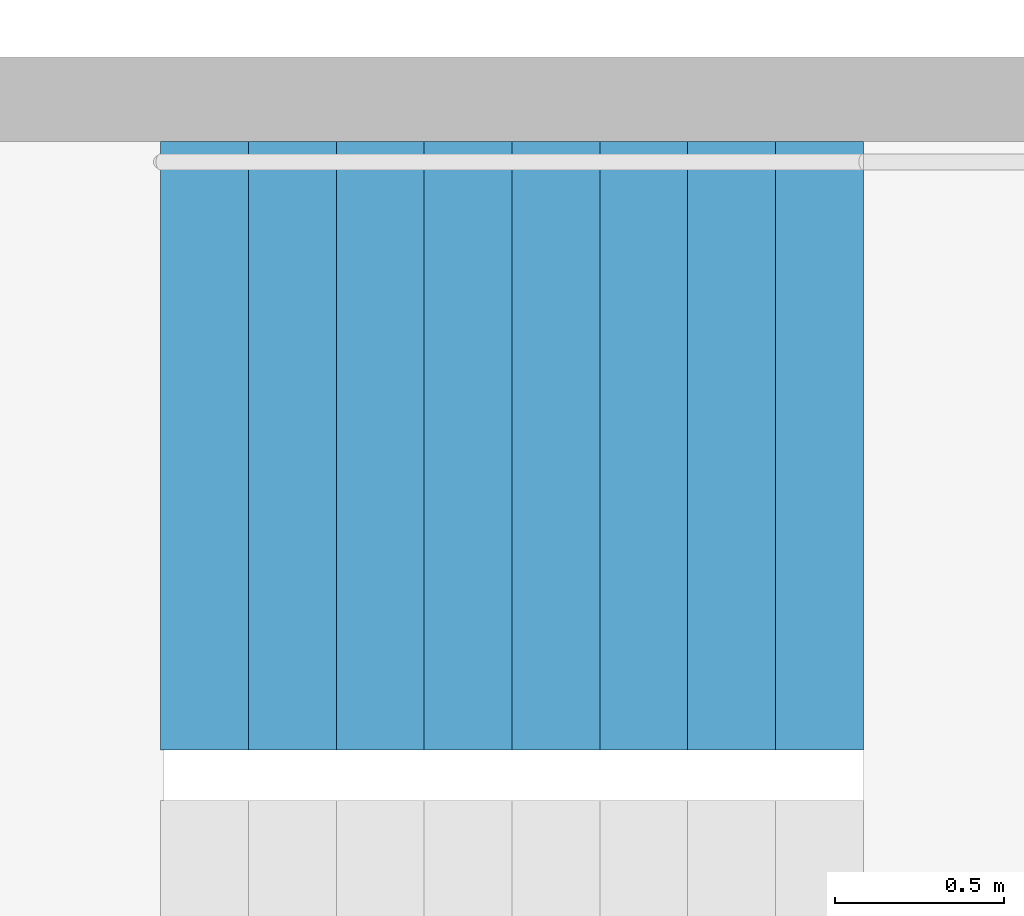
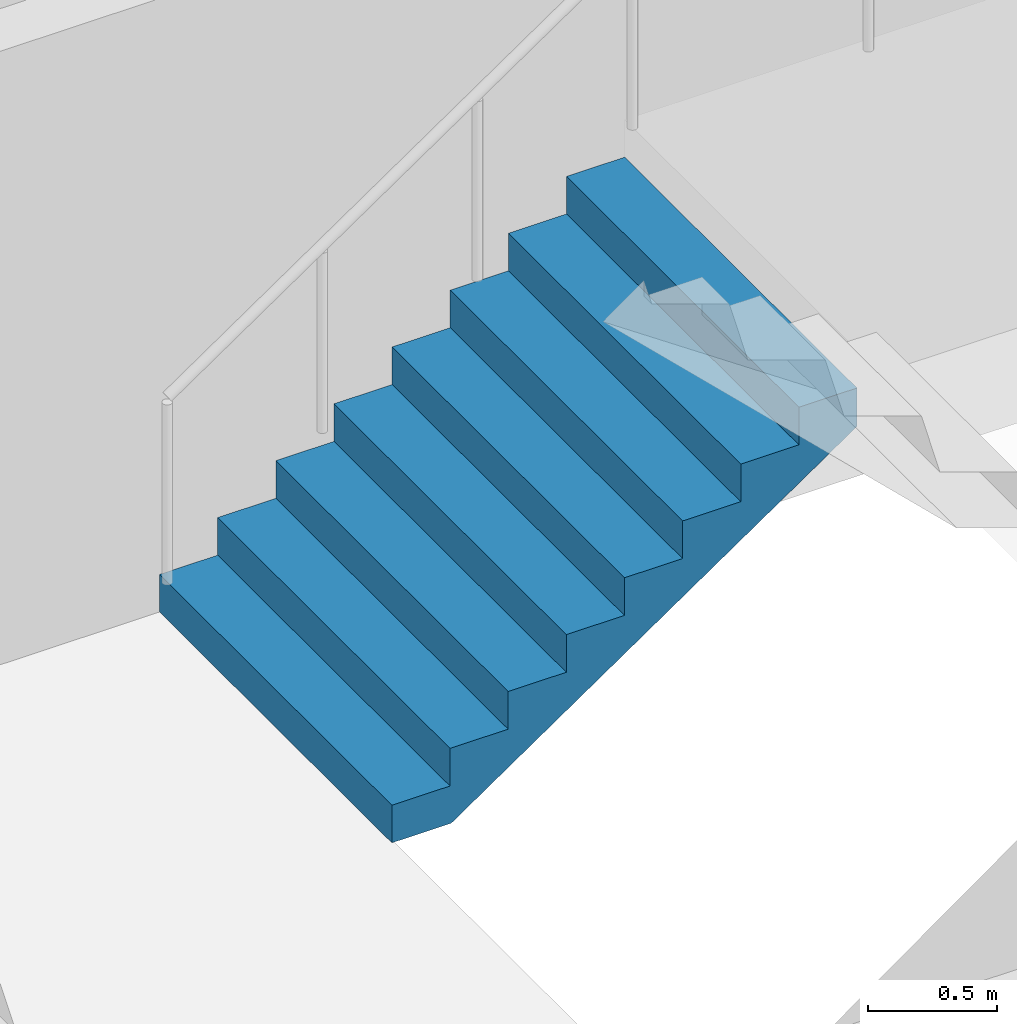
# One storey, part 23 of 26: 1 stair flight, 1 element without a shape of its own.
"""IFC4 building model written with IfcOpenShell, lengths in metres."""

from ifc_helpers import new_model, si_unit, direction, frame, origin, place, context, subcontext, project, spatial, triangles, material, type_object, element, aggregate, save


model = new_model("IFC4")

# Units and contexts
model_context = context("Model", 3, precision=1e-05, world=origin(), true_north=direction((0.0, 1.0)))
body_context = subcontext(model_context, "Body", "Model", "MODEL_VIEW")
ifc_project = project(units=[si_unit("LENGTHUNIT", "METRE"), si_unit("AREAUNIT", "SQUARE_METRE"), si_unit("VOLUMEUNIT", "CUBIC_METRE"), si_unit("PLANEANGLEUNIT", "RADIAN"), si_unit("MASSUNIT", "GRAM", prefix="KILO")], contexts=[model_context])

# Site, building, storey
site_placement = place(None, origin())
site = spatial("IfcSite", under=ifc_project, at=site_placement, CompositionType="ELEMENT")
building_placement = place(site_placement, origin())
building = spatial("IfcBuilding", under=site, at=building_placement, Name="Hakoniwa Tower and Hamabe Station Hall", CompositionType="ELEMENT")
storey_placement = place(building_placement, frame((0.0, 0.0, 225.0)))
storey = spatial("IfcBuildingStorey", under=building, at=storey_placement, Name="L64", CompositionType="ELEMENT", Elevation=225.0)

# Stair, stair flight
ifc_material_1 = material(Name="Concrete C40", Category="concrete")
stair_type = type_object("IfcStairType", Name="ESCAPE STAIR 1800", PredefinedType="HALF_TURN_STAIR", material=ifc_material_1)
stair_placement = place(storey_placement, origin())
stair = element("IfcStair", 1, at=stair_placement, inside=storey, type_object=stair_type, Name="Escape stair ST-4 L64", PredefinedType="HALF_TURN_STAIR")
ifc_material_2 = material(Name="Concrete C40", Category="concrete")
stair_flight_type = type_object("IfcStairFlightType", Name="STAIR FLIGHT 1800", PredefinedType="STRAIGHT", material=ifc_material_2)
stair_flight_placement = place(storey_placement, frame((23.39990234375, -4.64990234375, 0.0), z_axis=(0.0, 0.0, 1.0), x_axis=(1.0, 0.0, 0.0)))
stair_flight = element("IfcStairFlight", 2, at=stair_flight_placement, type_object=stair_flight_type, Name="ST-4 flight 1", NumberOfRisers=9, NumberOfTreads=8, PredefinedType="STRAIGHT", RiserHeight=0.177777778, TreadLength=0.26, context=body_context, shape_type="Tessellation", body=[
    triangles([(0.0, 0.89990234375, 0.0), (0.260009765625, 0.89990234375, 0.0), (0.265625, 0.89990234375, 0.0), (0.52001953125, 0.89990234375, 0.174072265625), (0.780029296875, 0.89990234375, 0.351806640625), (1.0400390625, 0.89990234375, 0.529541015625), (1.300048828125, 0.89990234375, 0.707275390625), (1.56005859375, 0.89990234375, 0.885009765625), (1.820068359375, 0.89990234375, 1.062744140625), (2.080078125, 0.89990234375, 1.24072265625), (2.080078125, 0.89990234375, 1.422119140625), (1.820068359375, 0.89990234375, 1.422119140625), (1.820068359375, 0.89990234375, 1.244384765625), (1.56005859375, 0.89990234375, 1.244384765625), (1.56005859375, 0.89990234375, 1.066650390625), (1.300048828125, 0.89990234375, 1.066650390625), (1.300048828125, 0.89990234375, 0.888916015625), (1.0400390625, 0.89990234375, 0.888916015625), (1.0400390625, 0.89990234375, 0.711181640625), (0.780029296875, 0.89990234375, 0.711181640625), (0.780029296875, 0.89990234375, 0.533447265625), (0.52001953125, 0.89990234375, 0.533447265625), (0.52001953125, 0.89990234375, 0.35546875), (0.265625, 0.89990234375, 0.35546875), (0.260009765625, 0.89990234375, 0.35546875), (0.260009765625, 0.89990234375, 0.177734375), (0.0, 0.89990234375, 0.177734375), (0.0, 0.06005859375, 0.0), (0.260009765625, 0.06005859375, 0.0), (0.265625, 0.06005859375, 0.0), (0.52001953125, 0.06005859375, 0.174072265625), (0.780029296875, 0.06005859375, 0.351806640625), (1.0400390625, 0.06005859375, 0.529541015625), (1.300048828125, 0.06005859375, 0.707275390625), (1.56005859375, 0.06005859375, 0.885009765625), (1.820068359375, 0.06005859375, 1.062744140625), (2.080078125, 0.06005859375, 1.24072265625), (2.080078125, 0.06005859375, 1.422119140625), (1.820068359375, 0.06005859375, 1.422119140625), (1.820068359375, 0.06005859375, 1.244384765625), (1.56005859375, 0.06005859375, 1.244384765625), (1.56005859375, 0.06005859375, 1.066650390625), (1.300048828125, 0.06005859375, 1.066650390625), (1.300048828125, 0.06005859375, 0.888916015625), (1.0400390625, 0.06005859375, 0.888916015625), (1.0400390625, 0.06005859375, 0.711181640625), (0.780029296875, 0.06005859375, 0.711181640625), (0.780029296875, 0.06005859375, 0.533447265625), (0.52001953125, 0.06005859375, 0.533447265625), (0.52001953125, 0.06005859375, 0.35546875), (0.265625, 0.06005859375, 0.35546875), (0.260009765625, 0.06005859375, 0.35546875), (0.260009765625, 0.06005859375, 0.177734375), (0.0, 0.06005859375, 0.177734375), (0.0, 0.04296875, 0.0), (0.260009765625, 0.04296875, 0.0), (0.265625, 0.04296875, 0.0), (0.52001953125, 0.04296875, 0.174072265625), (0.780029296875, 0.04296875, 0.351806640625), (1.0400390625, 0.04296875, 0.529541015625), (1.300048828125, 0.04296875, 0.707275390625), (1.56005859375, 0.04296875, 0.885009765625), (1.820068359375, 0.04296875, 1.062744140625), (2.080078125, 0.04296875, 1.24072265625), (2.080078125, 0.04296875, 1.422119140625), (1.820068359375, 0.04296875, 1.422119140625), (1.820068359375, 0.04296875, 1.244384765625), (1.56005859375, 0.04296875, 1.244384765625), (1.56005859375, 0.04296875, 1.066650390625), (1.300048828125, 0.04296875, 1.066650390625), (1.300048828125, 0.04296875, 0.888916015625), (1.0400390625, 0.04296875, 0.888916015625), (1.0400390625, 0.04296875, 0.711181640625), (0.780029296875, 0.04296875, 0.711181640625), (0.780029296875, 0.04296875, 0.533447265625), (0.52001953125, 0.04296875, 0.533447265625), (0.52001953125, 0.04296875, 0.35546875), (0.265625, 0.04296875, 0.35546875), (0.260009765625, 0.04296875, 0.35546875), (0.260009765625, 0.04296875, 0.177734375), (0.0, 0.04296875, 0.177734375), (0.0, 0.025634765625, 0.0), (0.260009765625, 0.025634765625, 0.0), (0.265625, 0.025634765625, 0.0), (0.52001953125, 0.025634765625, 0.174072265625), (0.780029296875, 0.025634765625, 0.351806640625), (1.0400390625, 0.025634765625, 0.529541015625), (1.300048828125, 0.025634765625, 0.707275390625), (1.56005859375, 0.025634765625, 0.885009765625), (1.820068359375, 0.025634765625, 1.062744140625), (2.080078125, 0.025634765625, 1.24072265625), (2.080078125, 0.025634765625, 1.422119140625), (1.820068359375, 0.025634765625, 1.422119140625), (1.820068359375, 0.025634765625, 1.244384765625), (1.56005859375, 0.025634765625, 1.244384765625), (1.56005859375, 0.025634765625, 1.066650390625), (1.300048828125, 0.025634765625, 1.066650390625), (1.300048828125, 0.025634765625, 0.888916015625), (1.0400390625, 0.025634765625, 0.888916015625), (1.0400390625, 0.025634765625, 0.711181640625), (0.780029296875, 0.025634765625, 0.711181640625), (0.780029296875, 0.025634765625, 0.533447265625), (0.52001953125, 0.025634765625, 0.533447265625), (0.52001953125, 0.025634765625, 0.35546875), (0.265625, 0.025634765625, 0.35546875), (0.260009765625, 0.025634765625, 0.35546875), (0.260009765625, 0.025634765625, 0.177734375), (0.0, 0.025634765625, 0.177734375), (0.0, 0.008544921875, 0.0), (0.260009765625, 0.008544921875, 0.0), (0.265625, 0.008544921875, 0.0), (0.52001953125, 0.008544921875, 0.174072265625), (0.780029296875, 0.008544921875, 0.351806640625), (1.0400390625, 0.008544921875, 0.529541015625), (1.300048828125, 0.008544921875, 0.707275390625), (1.56005859375, 0.008544921875, 0.885009765625), (1.820068359375, 0.008544921875, 1.062744140625), (2.080078125, 0.008544921875, 1.24072265625), (2.080078125, 0.008544921875, 1.422119140625), (1.820068359375, 0.008544921875, 1.422119140625), (1.820068359375, 0.008544921875, 1.244384765625), (1.56005859375, 0.008544921875, 1.244384765625), (1.56005859375, 0.008544921875, 1.066650390625), (1.300048828125, 0.008544921875, 1.066650390625), (1.300048828125, 0.008544921875, 0.888916015625), (1.0400390625, 0.008544921875, 0.888916015625), (1.0400390625, 0.008544921875, 0.711181640625), (0.780029296875, 0.008544921875, 0.711181640625), (0.780029296875, 0.008544921875, 0.533447265625), (0.52001953125, 0.008544921875, 0.533447265625), (0.52001953125, 0.008544921875, 0.35546875), (0.265625, 0.008544921875, 0.35546875), (0.260009765625, 0.008544921875, 0.35546875), (0.260009765625, 0.008544921875, 0.177734375), (0.0, 0.008544921875, 0.177734375), (0.0, -0.008544921875, 0.0), (0.260009765625, -0.008544921875, 0.0), (0.265625, -0.008544921875, 0.0), (0.52001953125, -0.008544921875, 0.174072265625), (0.780029296875, -0.008544921875, 0.351806640625), (1.0400390625, -0.008544921875, 0.529541015625), (1.300048828125, -0.008544921875, 0.707275390625), (1.56005859375, -0.008544921875, 0.885009765625), (1.820068359375, -0.008544921875, 1.062744140625), (2.080078125, -0.008544921875, 1.24072265625), (2.080078125, -0.008544921875, 1.422119140625), (1.820068359375, -0.008544921875, 1.422119140625), (1.820068359375, -0.008544921875, 1.244384765625), (1.56005859375, -0.008544921875, 1.244384765625), (1.56005859375, -0.008544921875, 1.066650390625), (1.300048828125, -0.008544921875, 1.066650390625), (1.300048828125, -0.008544921875, 0.888916015625), (1.0400390625, -0.008544921875, 0.888916015625), (1.0400390625, -0.008544921875, 0.711181640625), (0.780029296875, -0.008544921875, 0.711181640625), (0.780029296875, -0.008544921875, 0.533447265625), (0.52001953125, -0.008544921875, 0.533447265625), (0.52001953125, -0.008544921875, 0.35546875), (0.265625, -0.008544921875, 0.35546875), (0.260009765625, -0.008544921875, 0.35546875), (0.260009765625, -0.008544921875, 0.177734375), (0.0, -0.008544921875, 0.177734375), (0.0, -0.025634765625, 0.0), (0.260009765625, -0.025634765625, 0.0), (0.265625, -0.025634765625, 0.0), (0.52001953125, -0.025634765625, 0.174072265625), (0.780029296875, -0.025634765625, 0.351806640625), (1.0400390625, -0.025634765625, 0.529541015625), (1.300048828125, -0.025634765625, 0.707275390625), (1.56005859375, -0.025634765625, 0.885009765625), (1.820068359375, -0.025634765625, 1.062744140625), (2.080078125, -0.025634765625, 1.24072265625), (2.080078125, -0.025634765625, 1.422119140625), (1.820068359375, -0.025634765625, 1.422119140625), (1.820068359375, -0.025634765625, 1.244384765625), (1.56005859375, -0.025634765625, 1.244384765625), (1.56005859375, -0.025634765625, 1.066650390625), (1.300048828125, -0.025634765625, 1.066650390625), (1.300048828125, -0.025634765625, 0.888916015625), (1.0400390625, -0.025634765625, 0.888916015625), (1.0400390625, -0.025634765625, 0.711181640625), (0.780029296875, -0.025634765625, 0.711181640625), (0.780029296875, -0.025634765625, 0.533447265625), (0.52001953125, -0.025634765625, 0.533447265625), (0.52001953125, -0.025634765625, 0.35546875), (0.265625, -0.025634765625, 0.35546875), (0.260009765625, -0.025634765625, 0.35546875), (0.260009765625, -0.025634765625, 0.177734375), (0.0, -0.025634765625, 0.177734375), (0.0, -0.04296875, 0.0), (0.260009765625, -0.04296875, 0.0), (0.265625, -0.04296875, 0.0), (0.52001953125, -0.04296875, 0.174072265625), (0.780029296875, -0.04296875, 0.351806640625), (1.0400390625, -0.04296875, 0.529541015625), (1.300048828125, -0.04296875, 0.707275390625), (1.56005859375, -0.04296875, 0.885009765625), (1.820068359375, -0.04296875, 1.062744140625), (2.080078125, -0.04296875, 1.24072265625), (2.080078125, -0.04296875, 1.422119140625), (1.820068359375, -0.04296875, 1.422119140625), (1.820068359375, -0.04296875, 1.244384765625), (1.56005859375, -0.04296875, 1.244384765625), (1.56005859375, -0.04296875, 1.066650390625), (1.300048828125, -0.04296875, 1.066650390625), (1.300048828125, -0.04296875, 0.888916015625), (1.0400390625, -0.04296875, 0.888916015625), (1.0400390625, -0.04296875, 0.711181640625), (0.780029296875, -0.04296875, 0.711181640625), (0.780029296875, -0.04296875, 0.533447265625), (0.52001953125, -0.04296875, 0.533447265625), (0.52001953125, -0.04296875, 0.35546875), (0.265625, -0.04296875, 0.35546875), (0.260009765625, -0.04296875, 0.35546875), (0.260009765625, -0.04296875, 0.177734375), (0.0, -0.04296875, 0.177734375), (0.0, -0.06005859375, 0.0), (0.260009765625, -0.06005859375, 0.0), (0.265625, -0.06005859375, 0.0), (0.52001953125, -0.06005859375, 0.174072265625), (0.780029296875, -0.06005859375, 0.351806640625), (1.0400390625, -0.06005859375, 0.529541015625), (1.300048828125, -0.06005859375, 0.707275390625), (1.56005859375, -0.06005859375, 0.885009765625), (1.820068359375, -0.06005859375, 1.062744140625), (2.080078125, -0.06005859375, 1.24072265625), (2.080078125, -0.06005859375, 1.422119140625), (1.820068359375, -0.06005859375, 1.422119140625), (1.820068359375, -0.06005859375, 1.244384765625), (1.56005859375, -0.06005859375, 1.244384765625), (1.56005859375, -0.06005859375, 1.066650390625), (1.300048828125, -0.06005859375, 1.066650390625), (1.300048828125, -0.06005859375, 0.888916015625), (1.0400390625, -0.06005859375, 0.888916015625), (1.0400390625, -0.06005859375, 0.711181640625), (0.780029296875, -0.06005859375, 0.711181640625), (0.780029296875, -0.06005859375, 0.533447265625), (0.52001953125, -0.06005859375, 0.533447265625), (0.52001953125, -0.06005859375, 0.35546875), (0.265625, -0.06005859375, 0.35546875), (0.260009765625, -0.06005859375, 0.35546875), (0.260009765625, -0.06005859375, 0.177734375), (0.0, -0.06005859375, 0.177734375), (0.0, -0.89990234375, 0.0), (0.260009765625, -0.89990234375, 0.0), (0.265625, -0.89990234375, 0.0), (0.52001953125, -0.89990234375, 0.174072265625), (0.780029296875, -0.89990234375, 0.351806640625), (1.0400390625, -0.89990234375, 0.529541015625), (1.300048828125, -0.89990234375, 0.707275390625), (1.56005859375, -0.89990234375, 0.885009765625), (1.820068359375, -0.89990234375, 1.062744140625), (2.080078125, -0.89990234375, 1.24072265625), (2.080078125, -0.89990234375, 1.422119140625), (1.820068359375, -0.89990234375, 1.422119140625), (1.820068359375, -0.89990234375, 1.244384765625), (1.56005859375, -0.89990234375, 1.244384765625), (1.56005859375, -0.89990234375, 1.066650390625), (1.300048828125, -0.89990234375, 1.066650390625), (1.300048828125, -0.89990234375, 0.888916015625), (1.0400390625, -0.89990234375, 0.888916015625), (1.0400390625, -0.89990234375, 0.711181640625), (0.780029296875, -0.89990234375, 0.711181640625), (0.780029296875, -0.89990234375, 0.533447265625), (0.52001953125, -0.89990234375, 0.533447265625), (0.52001953125, -0.89990234375, 0.35546875), (0.265625, -0.89990234375, 0.35546875), (0.260009765625, -0.89990234375, 0.35546875), (0.260009765625, -0.89990234375, 0.177734375), (0.0, -0.89990234375, 0.177734375)], [[2, 27, 26], [245, 269, 270], [2, 1, 27], [245, 270, 244], [3, 25, 24], [246, 267, 268], [3, 26, 25], [246, 268, 269], [3, 2, 26], [246, 269, 245], [4, 24, 23], [247, 266, 267], [4, 3, 24], [247, 267, 246], [5, 22, 21], [248, 264, 265], [5, 23, 22], [248, 265, 266], [5, 4, 23], [248, 266, 247], [6, 20, 19], [249, 262, 263], [6, 21, 20], [249, 263, 264], [6, 5, 21], [249, 264, 248], [7, 18, 17], [250, 260, 261], [7, 19, 18], [250, 261, 262], [7, 6, 19], [250, 262, 249], [8, 16, 15], [251, 258, 259], [8, 17, 16], [251, 259, 260], [8, 7, 17], [251, 260, 250], [9, 14, 13], [252, 256, 257], [9, 15, 14], [252, 257, 258], [9, 8, 15], [252, 258, 251], [10, 12, 11], [253, 254, 255], [10, 13, 12], [253, 255, 256], [10, 9, 13], [253, 256, 252], [1, 2, 29], [1, 29, 28], [28, 29, 56], [28, 56, 55], [55, 56, 83], [55, 83, 82], [82, 83, 110], [82, 110, 109], [109, 110, 137], [109, 137, 136], [136, 137, 164], [136, 164, 163], [163, 164, 191], [163, 191, 190], [190, 191, 218], [190, 218, 217], [217, 218, 245], [217, 245, 244], [2, 3, 30], [2, 30, 29], [29, 30, 57], [29, 57, 56], [56, 57, 84], [56, 84, 83], [83, 84, 111], [83, 111, 110], [110, 111, 138], [110, 138, 137], [137, 138, 165], [137, 165, 164], [164, 165, 192], [164, 192, 191], [191, 192, 219], [191, 219, 218], [218, 219, 246], [218, 246, 245], [3, 4, 31], [3, 31, 30], [30, 31, 58], [30, 58, 57], [57, 58, 85], [57, 85, 84], [84, 85, 112], [84, 112, 111], [111, 112, 139], [111, 139, 138], [138, 139, 166], [138, 166, 165], [165, 166, 193], [165, 193, 192], [192, 193, 220], [192, 220, 219], [219, 220, 247], [219, 247, 246], [4, 5, 32], [4, 32, 31], [31, 32, 59], [31, 59, 58], [58, 59, 86], [58, 86, 85], [85, 86, 113], [85, 113, 112], [112, 113, 140], [112, 140, 139], [139, 140, 167], [139, 167, 166], [166, 167, 194], [166, 194, 193], [193, 194, 221], [193, 221, 220], [220, 221, 248], [220, 248, 247], [5, 6, 33], [5, 33, 32], [32, 33, 60], [32, 60, 59], [59, 60, 87], [59, 87, 86], [86, 87, 114], [86, 114, 113], [113, 114, 141], [113, 141, 140], [140, 141, 168], [140, 168, 167], [167, 168, 195], [167, 195, 194], [194, 195, 222], [194, 222, 221], [221, 222, 249], [221, 249, 248], [6, 7, 34], [6, 34, 33], [33, 34, 61], [33, 61, 60], [60, 61, 88], [60, 88, 87], [87, 88, 115], [87, 115, 114], [114, 115, 142], [114, 142, 141], [141, 142, 169], [141, 169, 168], [168, 169, 196], [168, 196, 195], [195, 196, 223], [195, 223, 222], [222, 223, 250], [222, 250, 249], [7, 8, 35], [7, 35, 34], [34, 35, 62], [34, 62, 61], [61, 62, 89], [61, 89, 88], [88, 89, 116], [88, 116, 115], [115, 116, 143], [115, 143, 142], [142, 143, 170], [142, 170, 169], [169, 170, 197], [169, 197, 196], [196, 197, 224], [196, 224, 223], [223, 224, 251], [223, 251, 250], [8, 9, 36], [8, 36, 35], [35, 36, 63], [35, 63, 62], [62, 63, 90], [62, 90, 89], [89, 90, 117], [89, 117, 116], [116, 117, 144], [116, 144, 143], [143, 144, 171], [143, 171, 170], [170, 171, 198], [170, 198, 197], [197, 198, 225], [197, 225, 224], [224, 225, 252], [224, 252, 251], [9, 10, 37], [9, 37, 36], [36, 37, 64], [36, 64, 63], [63, 64, 91], [63, 91, 90], [90, 91, 118], [90, 118, 117], [117, 118, 145], [117, 145, 144], [144, 145, 172], [144, 172, 171], [171, 172, 199], [171, 199, 198], [198, 199, 226], [198, 226, 225], [225, 226, 253], [225, 253, 252], [10, 11, 38], [10, 38, 37], [37, 38, 65], [37, 65, 64], [64, 65, 92], [64, 92, 91], [91, 92, 119], [91, 119, 118], [118, 119, 146], [118, 146, 145], [145, 146, 173], [145, 173, 172], [172, 173, 200], [172, 200, 199], [199, 200, 227], [199, 227, 226], [226, 227, 254], [226, 254, 253], [11, 12, 39], [11, 39, 38], [38, 39, 66], [38, 66, 65], [65, 66, 93], [65, 93, 92], [92, 93, 120], [92, 120, 119], [119, 120, 147], [119, 147, 146], [146, 147, 174], [146, 174, 173], [173, 174, 201], [173, 201, 200], [200, 201, 228], [200, 228, 227], [227, 228, 255], [227, 255, 254], [12, 13, 40], [12, 40, 39], [39, 40, 67], [39, 67, 66], [66, 67, 94], [66, 94, 93], [93, 94, 121], [93, 121, 120], [120, 121, 148], [120, 148, 147], [147, 148, 175], [147, 175, 174], [174, 175, 202], [174, 202, 201], [201, 202, 229], [201, 229, 228], [228, 229, 256], [228, 256, 255], [13, 14, 41], [13, 41, 40], [40, 41, 68], [40, 68, 67], [67, 68, 95], [67, 95, 94], [94, 95, 122], [94, 122, 121], [121, 122, 149], [121, 149, 148], [148, 149, 176], [148, 176, 175], [175, 176, 203], [175, 203, 202], [202, 203, 230], [202, 230, 229], [229, 230, 257], [229, 257, 256], [14, 15, 42], [14, 42, 41], [41, 42, 69], [41, 69, 68], [68, 69, 96], [68, 96, 95], [95, 96, 123], [95, 123, 122], [122, 123, 150], [122, 150, 149], [149, 150, 177], [149, 177, 176], [176, 177, 204], [176, 204, 203], [203, 204, 231], [203, 231, 230], [230, 231, 258], [230, 258, 257], [15, 16, 43], [15, 43, 42], [42, 43, 70], [42, 70, 69], [69, 70, 97], [69, 97, 96], [96, 97, 124], [96, 124, 123], [123, 124, 151], [123, 151, 150], [150, 151, 178], [150, 178, 177], [177, 178, 205], [177, 205, 204], [204, 205, 232], [204, 232, 231], [231, 232, 259], [231, 259, 258], [16, 17, 44], [16, 44, 43], [43, 44, 71], [43, 71, 70], [70, 71, 98], [70, 98, 97], [97, 98, 125], [97, 125, 124], [124, 125, 152], [124, 152, 151], [151, 152, 179], [151, 179, 178], [178, 179, 206], [178, 206, 205], [205, 206, 233], [205, 233, 232], [232, 233, 260], [232, 260, 259], [17, 18, 45], [17, 45, 44], [44, 45, 72], [44, 72, 71], [71, 72, 99], [71, 99, 98], [98, 99, 126], [98, 126, 125], [125, 126, 153], [125, 153, 152], [152, 153, 180], [152, 180, 179], [179, 180, 207], [179, 207, 206], [206, 207, 234], [206, 234, 233], [233, 234, 261], [233, 261, 260], [18, 19, 46], [18, 46, 45], [45, 46, 73], [45, 73, 72], [72, 73, 100], [72, 100, 99], [99, 100, 127], [99, 127, 126], [126, 127, 154], [126, 154, 153], [153, 154, 181], [153, 181, 180], [180, 181, 208], [180, 208, 207], [207, 208, 235], [207, 235, 234], [234, 235, 262], [234, 262, 261], [19, 20, 47], [19, 47, 46], [46, 47, 74], [46, 74, 73], [73, 74, 101], [73, 101, 100], [100, 101, 128], [100, 128, 127], [127, 128, 155], [127, 155, 154], [154, 155, 182], [154, 182, 181], [181, 182, 209], [181, 209, 208], [208, 209, 236], [208, 236, 235], [235, 236, 263], [235, 263, 262], [20, 21, 48], [20, 48, 47], [47, 48, 75], [47, 75, 74], [74, 75, 102], [74, 102, 101], [101, 102, 129], [101, 129, 128], [128, 129, 156], [128, 156, 155], [155, 156, 183], [155, 183, 182], [182, 183, 210], [182, 210, 209], [209, 210, 237], [209, 237, 236], [236, 237, 264], [236, 264, 263], [21, 22, 49], [21, 49, 48], [48, 49, 76], [48, 76, 75], [75, 76, 103], [75, 103, 102], [102, 103, 130], [102, 130, 129], [129, 130, 157], [129, 157, 156], [156, 157, 184], [156, 184, 183], [183, 184, 211], [183, 211, 210], [210, 211, 238], [210, 238, 237], [237, 238, 265], [237, 265, 264], [22, 23, 50], [22, 50, 49], [49, 50, 77], [49, 77, 76], [76, 77, 104], [76, 104, 103], [103, 104, 131], [103, 131, 130], [130, 131, 158], [130, 158, 157], [157, 158, 185], [157, 185, 184], [184, 185, 212], [184, 212, 211], [211, 212, 239], [211, 239, 238], [238, 239, 266], [238, 266, 265], [23, 24, 51], [23, 51, 50], [50, 51, 78], [50, 78, 77], [77, 78, 105], [77, 105, 104], [104, 105, 132], [104, 132, 131], [131, 132, 159], [131, 159, 158], [158, 159, 186], [158, 186, 185], [185, 186, 213], [185, 213, 212], [212, 213, 240], [212, 240, 239], [239, 240, 267], [239, 267, 266], [24, 25, 52], [24, 52, 51], [51, 52, 79], [51, 79, 78], [78, 79, 106], [78, 106, 105], [105, 106, 133], [105, 133, 132], [132, 133, 160], [132, 160, 159], [159, 160, 187], [159, 187, 186], [186, 187, 214], [186, 214, 213], [213, 214, 241], [213, 241, 240], [240, 241, 268], [240, 268, 267], [25, 26, 53], [25, 53, 52], [52, 53, 80], [52, 80, 79], [79, 80, 107], [79, 107, 106], [106, 107, 134], [106, 134, 133], [133, 134, 161], [133, 161, 160], [160, 161, 188], [160, 188, 187], [187, 188, 215], [187, 215, 214], [214, 215, 242], [214, 242, 241], [241, 242, 269], [241, 269, 268], [26, 27, 54], [26, 54, 53], [53, 54, 81], [53, 81, 80], [80, 81, 108], [80, 108, 107], [107, 108, 135], [107, 135, 134], [134, 135, 162], [134, 162, 161], [161, 162, 189], [161, 189, 188], [188, 189, 216], [188, 216, 215], [215, 216, 243], [215, 243, 242], [242, 243, 270], [242, 270, 269], [27, 1, 28], [27, 28, 54], [54, 28, 55], [54, 55, 81], [81, 55, 82], [81, 82, 108], [108, 82, 109], [108, 109, 135], [135, 109, 136], [135, 136, 162], [162, 136, 163], [162, 163, 189], [189, 163, 190], [189, 190, 216], [216, 190, 217], [216, 217, 243], [243, 217, 244], [243, 244, 270]], closed=True),
])
aggregate(stair, [stair_flight])

save(model, "model.ifc")
